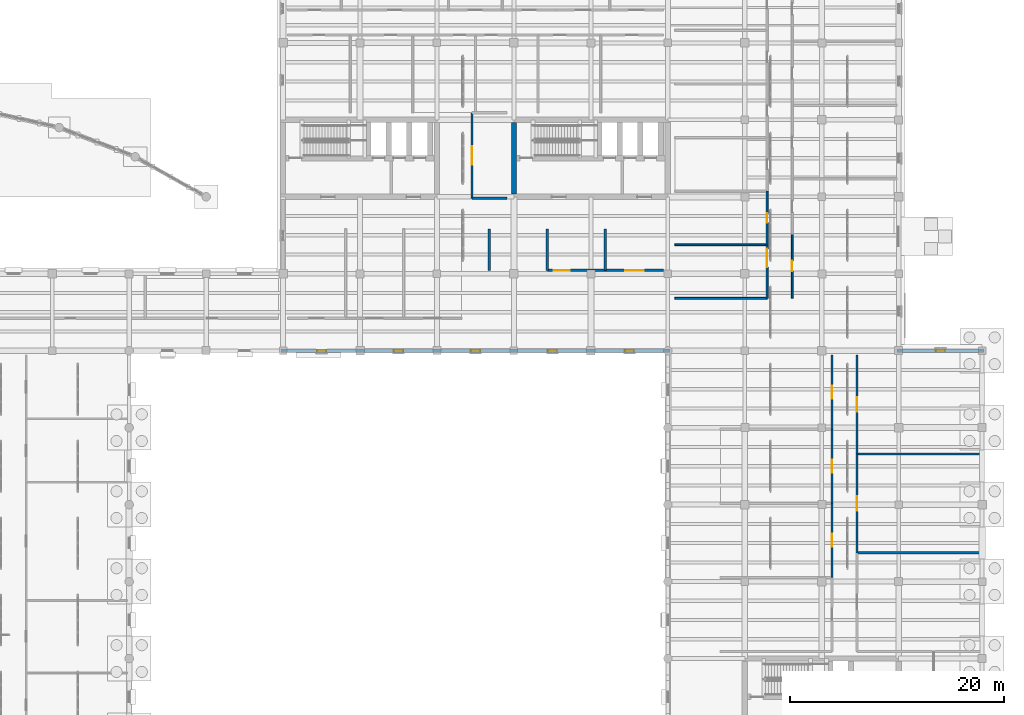
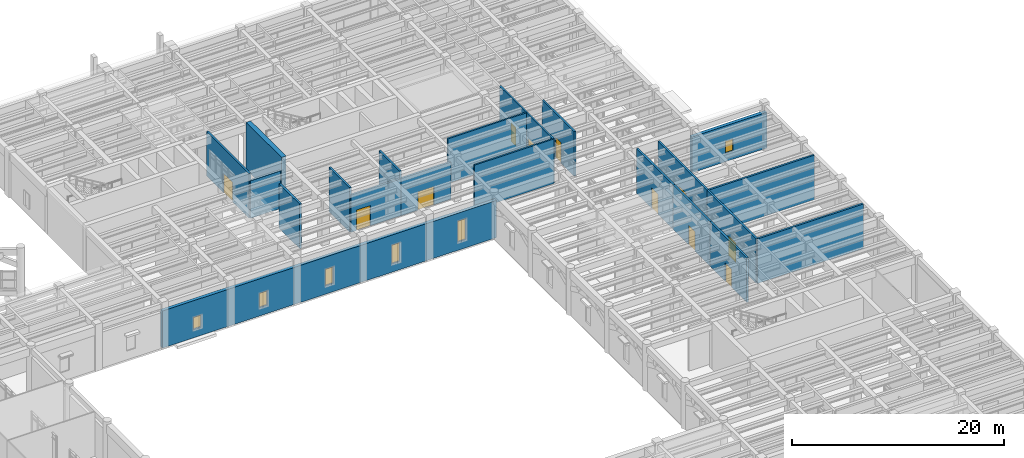
# One storey, part 84 of 100: 22 walls, 11 doors, 6 windows, 17 openings.
"""IFC4 building model written with IfcOpenShell, lengths in metres."""

from ifc_helpers import new_model, si_unit, direction, frame, frame_2d, origin, place, context, subcontext, project, spatial, rectangle, extrude, material, layer, layer_set, type_object, element, fill, save


model = new_model("IFC4")

# Units and contexts
model_context = context("Model", 3, precision=1e-05, world=origin(), true_north=direction((0.0, 1.0)))
body_context = subcontext(model_context, "Body", "Model", "MODEL_VIEW")
ifc_project = project(units=[si_unit("LENGTHUNIT", "METRE"), si_unit("AREAUNIT", "SQUARE_METRE"), si_unit("VOLUMEUNIT", "CUBIC_METRE"), si_unit("PLANEANGLEUNIT", "RADIAN"), si_unit("MASSUNIT", "GRAM", prefix="KILO")], contexts=[model_context])

# Site, building, storey
site_placement = place(None, origin())
site = spatial("IfcSite", under=ifc_project, at=site_placement, CompositionType="ELEMENT")
building_placement = place(site_placement, origin())
building = spatial("IfcBuilding", under=site, at=building_placement, Name="Mithqara Police Headquarters", CompositionType="ELEMENT")
storey_placement = place(building_placement, origin())
storey = spatial("IfcBuildingStorey", under=building, at=storey_placement, Name="L00", CompositionType="ELEMENT", Elevation=0.0)

# Wall, opening, window
ifc_material_1 = material(Name="Limestone ashlar masonry, 45 MPa", Category="masonry")
ifc_layer_1 = layer(ifc_material_1, 0.360107421875, Name="Limestone ashlar masonry, 45 MPa")
ifc_layer_set_1 = layer_set([ifc_layer_1], Name="Limestone ashlar masonry, 45 MPa")
wall_type_1 = type_object("IfcWallType", Name="EXT WALL LIMESTONE360", PredefinedType="SOLIDWALL", material=ifc_layer_set_1)
wall_1_placement = place(storey_placement, frame((174.179931640625, 78.60009765625, 0.0), z_axis=(0.0, 0.0, 1.0), x_axis=(-1.0, 0.0, 0.0)))
wall_1 = element("IfcWall", 1, at=wall_1_placement, inside=storey, type_object=wall_type_1, Name="L00 Exterior Wall 6.1", PredefinedType="SOLIDWALL", context=body_context, shape_type="SweptSolid", body=[
    extrude(rectangle(XDim=8.159912109375, YDim=0.360107421875, at=frame_2d((4.080078125, 0.0))), origin(), (0.0, 0.0, 1.0), 4.1201171875),
])
opening_1_placement = place(wall_1_placement, frame((3.655029296875, 0.0, 0.949951171875)))
opening_1 = element("IfcOpeningElement", 2, at=opening_1_placement, cuts=wall_1, Name="Opening W-01", PredefinedType="OPENING", context=body_context, shape_type="SweptSolid", body=[
    extrude(rectangle(XDim=0.85009765625, YDim=1.39990234375, at=frame_2d((0.425048828125, 0.699951171875))), frame((0.0, 0.18994140625, 0.0), z_axis=(0.0, -1.0, 0.0), x_axis=(1.0, 0.0, 0.0)), (0.0, 0.0, 1.0), 0.380126953125),
])
ifc_material_2 = material(Name="Spectrally selective double low-e glass", Category="glass")
window_type_1 = type_object("IfcWindowType", Name="WINDOW 850X1400", PartitioningType="SINGLE_PANEL", PredefinedType="WINDOW", material=ifc_material_2)
window_1_placement = place(opening_1_placement, origin())
window_1 = element("IfcWindow", 3, at=window_1_placement, inside=storey, type_object=window_type_1, Name="L00 Command Block Screened Window 6.1", OverallHeight=1.39990234375, OverallWidth=0.85009765625, PartitioningType="SINGLE_PANEL", PredefinedType="WINDOW", context=body_context, shape_type="SweptSolid", body=[
    extrude(rectangle(XDim=0.85009765625, YDim=1.39990234375, at=frame_2d((0.425048828125, 0.699951171875))), frame((0.0, 0.030029296875, 0.0), z_axis=(0.0, -1.0, 0.0), x_axis=(1.0, 0.0, 0.0)), (0.0, 0.0, 1.0), 0.06005859375),
])
fill(opening_1, window_1)

# Wall, openings, windows
wall_2_placement = place(storey_placement, frame((108.419921875, 78.60009765625, 0.0), z_axis=(0.0, 0.0, 1.0), x_axis=(1.0, 0.0, 0.0)))
wall_2 = element("IfcWall", 4, at=wall_2_placement, inside=storey, type_object=wall_type_1, Name="L00 Exterior Wall 3.1", PredefinedType="SOLIDWALL", context=body_context, shape_type="SweptSolid", body=[
    extrude(rectangle(XDim=36.360107421875, YDim=0.360107421875, at=frame_2d((18.18017578125, 0.0))), origin(), (0.0, 0.0, 1.0), 4.27001953125),
])
opening_2_placement = place(wall_2_placement, frame((3.35498046875, 0.0, 0.949951171875)))
opening_2 = element("IfcOpeningElement", 5, at=opening_2_placement, cuts=wall_2, Name="Opening W-01", PredefinedType="OPENING", context=body_context, shape_type="SweptSolid", body=[
    extrude(rectangle(XDim=0.85009765625, YDim=1.39990234375, at=frame_2d((0.425048828125, 0.699951171875))), frame((0.0, 0.18994140625, 0.0), z_axis=(0.0, -1.0, 0.0), x_axis=(1.0, 0.0, 0.0)), (0.0, 0.0, 1.0), 0.380126953125),
])
opening_3_placement = place(wall_2_placement, frame((10.554931640625, 0.0, 0.949951171875)))
opening_3 = element("IfcOpeningElement", 6, at=opening_3_placement, cuts=wall_2, Name="Opening W-02", PredefinedType="OPENING", context=body_context, shape_type="SweptSolid", body=[
    extrude(rectangle(XDim=0.85009765625, YDim=1.64990234375, at=frame_2d((0.425048828125, 0.824951171875))), frame((0.0, 0.18994140625, 0.0), z_axis=(0.0, -1.0, 0.0), x_axis=(1.0, 0.0, 0.0)), (0.0, 0.0, 1.0), 0.380126953125),
])
opening_4_placement = place(wall_2_placement, frame((17.7548828125, 0.0, 0.949951171875)))
opening_4 = element("IfcOpeningElement", 7, at=opening_4_placement, cuts=wall_2, Name="Opening W-03", PredefinedType="OPENING", context=body_context, shape_type="SweptSolid", body=[
    extrude(rectangle(XDim=0.85009765625, YDim=1.89990234375, at=frame_2d((0.425048828125, 0.949951171875))), frame((0.0, 0.18994140625, 0.0), z_axis=(0.0, -1.0, 0.0), x_axis=(1.0, 0.0, 0.0)), (0.0, 0.0, 1.0), 0.380126953125),
])
opening_5_placement = place(wall_2_placement, frame((24.955078125, 0.0, 0.949951171875)))
opening_5 = element("IfcOpeningElement", 8, at=opening_5_placement, cuts=wall_2, Name="Opening W-04", PredefinedType="OPENING", context=body_context, shape_type="SweptSolid", body=[
    extrude(rectangle(XDim=0.85009765625, YDim=2.14990234375, at=frame_2d((0.425048828125, 1.074951171875))), frame((0.0, 0.18994140625, 0.0), z_axis=(0.0, -1.0, 0.0), x_axis=(1.0, 0.0, 0.0)), (0.0, 0.0, 1.0), 0.380126953125),
])
opening_6_placement = place(wall_2_placement, frame((32.155029296875, 0.0, 0.949951171875)))
opening_6 = element("IfcOpeningElement", 9, at=opening_6_placement, cuts=wall_2, Name="Opening W-05", PredefinedType="OPENING", context=body_context, shape_type="SweptSolid", body=[
    extrude(rectangle(XDim=0.85009765625, YDim=2.39990234375, at=frame_2d((0.425048828125, 1.199951171875))), frame((0.0, 0.18994140625, 0.0), z_axis=(0.0, -1.0, 0.0), x_axis=(1.0, 0.0, 0.0)), (0.0, 0.0, 1.0), 0.380126953125),
])
window_2_placement = place(opening_2_placement, origin())
window_2 = element("IfcWindow", 10, at=window_2_placement, inside=storey, type_object=window_type_1, Name="L00 Command Block Screened Window 3.1", OverallHeight=1.39990234375, OverallWidth=0.85009765625, PartitioningType="SINGLE_PANEL", PredefinedType="WINDOW", context=body_context, shape_type="SweptSolid", body=[
    extrude(rectangle(XDim=0.85009765625, YDim=1.39990234375, at=frame_2d((0.425048828125, 0.699951171875))), frame((0.0, 0.030029296875, 0.0), z_axis=(0.0, -1.0, 0.0), x_axis=(1.0, 0.0, 0.0)), (0.0, 0.0, 1.0), 0.06005859375),
])
fill(opening_2, window_2)
window_type_2 = type_object("IfcWindowType", Name="WINDOW 850X1650", PartitioningType="SINGLE_PANEL", PredefinedType="WINDOW", material=ifc_material_2)
window_3_placement = place(opening_3_placement, origin())
window_3 = element("IfcWindow", 11, at=window_3_placement, inside=storey, type_object=window_type_2, Name="L00 Command Block Screened Window 3.2", OverallHeight=1.64990234375, OverallWidth=0.85009765625, PartitioningType="SINGLE_PANEL", PredefinedType="WINDOW", context=body_context, shape_type="SweptSolid", body=[
    extrude(rectangle(XDim=0.85009765625, YDim=1.64990234375, at=frame_2d((0.425048828125, 0.824951171875))), frame((0.0, 0.030029296875, 0.0), z_axis=(0.0, -1.0, 0.0), x_axis=(1.0, 0.0, 0.0)), (0.0, 0.0, 1.0), 0.06005859375),
])
fill(opening_3, window_3)
window_type_3 = type_object("IfcWindowType", Name="WINDOW 850X1900", PartitioningType="SINGLE_PANEL", PredefinedType="WINDOW", material=ifc_material_2)
window_4_placement = place(opening_4_placement, origin())
window_4 = element("IfcWindow", 12, at=window_4_placement, inside=storey, type_object=window_type_3, Name="L00 Command Block Screened Window 3.3", OverallHeight=1.89990234375, OverallWidth=0.85009765625, PartitioningType="SINGLE_PANEL", PredefinedType="WINDOW", context=body_context, shape_type="SweptSolid", body=[
    extrude(rectangle(XDim=0.85009765625, YDim=1.89990234375, at=frame_2d((0.425048828125, 0.949951171875))), frame((0.0, 0.030029296875, 0.0), z_axis=(0.0, -1.0, 0.0), x_axis=(1.0, 0.0, 0.0)), (0.0, 0.0, 1.0), 0.06005859375),
])
fill(opening_4, window_4)
window_type_4 = type_object("IfcWindowType", Name="WINDOW 850X2150", PartitioningType="SINGLE_PANEL", PredefinedType="WINDOW", material=ifc_material_2)
window_5_placement = place(opening_5_placement, origin())
window_5 = element("IfcWindow", 13, at=window_5_placement, inside=storey, type_object=window_type_4, Name="L00 Command Block Screened Window 3.4", OverallHeight=2.14990234375, OverallWidth=0.85009765625, PartitioningType="SINGLE_PANEL", PredefinedType="WINDOW", context=body_context, shape_type="SweptSolid", body=[
    extrude(rectangle(XDim=0.85009765625, YDim=2.14990234375, at=frame_2d((0.425048828125, 1.074951171875))), frame((0.0, 0.030029296875, 0.0), z_axis=(0.0, -1.0, 0.0), x_axis=(1.0, 0.0, 0.0)), (0.0, 0.0, 1.0), 0.06005859375),
])
fill(opening_5, window_5)
window_type_5 = type_object("IfcWindowType", Name="WINDOW 850X2400", PartitioningType="SINGLE_PANEL", PredefinedType="WINDOW", material=ifc_material_2)
window_6_placement = place(opening_6_placement, origin())
window_6 = element("IfcWindow", 14, at=window_6_placement, inside=storey, type_object=window_type_5, Name="L00 Command Block Screened Window 3.5", OverallHeight=2.39990234375, OverallWidth=0.85009765625, PartitioningType="SINGLE_PANEL", PredefinedType="WINDOW", context=body_context, shape_type="SweptSolid", body=[
    extrude(rectangle(XDim=0.85009765625, YDim=2.39990234375, at=frame_2d((0.425048828125, 1.199951171875))), frame((0.0, 0.030029296875, 0.0), z_axis=(0.0, -1.0, 0.0), x_axis=(1.0, 0.0, 0.0)), (0.0, 0.0, 1.0), 0.06005859375),
])
fill(opening_6, window_6)

# Wall
ifc_material_3 = material(Name="Concrete C40/50", Category="concrete")
ifc_layer_2 = layer(ifc_material_3, 0.179931640625, Name="Concrete C40/50")
ifc_layer_set_2 = layer_set([ifc_layer_2], Name="Concrete C40/50")
wall_type_2 = type_object("IfcWallType", Name="PART WALL 180", PredefinedType="PARTITIONING", material=ifc_layer_set_2)
wall_3_placement = place(storey_placement, frame((145.25, 83.5, 0.0), z_axis=(0.0, 0.0, 1.0), x_axis=(1.0, 0.0, 0.0)))
element("IfcWall", 15, at=wall_3_placement, inside=storey, type_object=wall_type_2, Name="L00 Partition End Closure E0", PredefinedType="PARTITIONING", context=body_context, shape_type="SweptSolid", body=[
    extrude(rectangle(XDim=8.64501953125, YDim=0.179931640625, at=frame_2d((4.322509765625, 0.0))), origin(), (0.0, 0.0, 1.0), 5.1201171875),
])

# Wall, opening, door
wall_4_placement = place(storey_placement, frame((153.89501953125, 83.5, 0.0), z_axis=(0.0, 0.0, 1.0), x_axis=(0.0, 1.0, 0.0)))
wall_4 = element("IfcWall", 16, at=wall_4_placement, inside=storey, type_object=wall_type_2, Name="L00 Corridor Wall Watch Commander Suite", PredefinedType="PARTITIONING", context=body_context, shape_type="SweptSolid", body=[
    extrude(rectangle(XDim=5.012939453125, YDim=0.179931640625, at=frame_2d((2.50634765625, 0.0))), origin(), (0.0, 0.0, 1.0), 5.1201171875),
])
opening_7_placement = place(wall_4_placement, frame((2.89990234375, 0.0, 0.0)))
opening_7 = element("IfcOpeningElement", 17, at=opening_7_placement, cuts=wall_4, Name="Opening D-24", PredefinedType="OPENING", context=body_context, shape_type="SweptSolid", body=[
    extrude(rectangle(XDim=1.719970703125, YDim=2.35009765625, at=frame_2d((0.85986328125, 1.175048828125))), frame((0.0, 0.10009765625, 0.0), z_axis=(0.0, -1.0, 0.0), x_axis=(1.0, 0.0, 0.0)), (0.0, 0.0, 1.0), 0.199951171875),
])
ifc_material_4 = material(Name="Bronze anodised aluminium 6063-T6", Category="aluminium")
door_type_1 = type_object("IfcDoorType", Name="INT DOOR 1720X2350", OperationType="NOTDEFINED", PredefinedType="DOOR", material=ifc_material_4)
door_1_placement = place(opening_7_placement, frame((1.719970703125, 0.0, 0.0), z_axis=(0.0, 0.0, 1.0), x_axis=(-1.0, 0.0, 0.0)))
door_1 = element("IfcDoor", 18, at=door_1_placement, inside=storey, type_object=door_type_1, Name="Watch Commander Suite Entry Door", OperationType="DOUBLE_DOOR_SINGLE_SWING", OverallHeight=2.35009765625, OverallWidth=1.719970703125, PredefinedType="DOOR", context=body_context, shape_type="SweptSolid", body=[
    extrude(rectangle(XDim=1.719970703125, YDim=2.35009765625, at=frame_2d((0.85986328125, 1.175048828125))), frame((0.0, 0.02490234375, 0.0), z_axis=(0.0, -1.0, 0.0), x_axis=(1.0, 0.0, 0.0)), (0.0, 0.0, 1.0), 0.050048828125),
])
fill(opening_7, door_1)

# Wall
wall_5_placement = place(storey_placement, frame((145.25, 88.512939453125, 0.0), z_axis=(0.0, 0.0, 1.0), x_axis=(1.0, 0.0, 0.0)))
element("IfcWall", 19, at=wall_5_placement, inside=storey, type_object=wall_type_2, Name="L00 Room Partition Watch Commander Suite", PredefinedType="PARTITIONING", context=body_context, shape_type="SweptSolid", body=[
    extrude(rectangle(XDim=8.64501953125, YDim=0.179931640625, at=frame_2d((4.322509765625, 0.0))), origin(), (0.0, 0.0, 1.0), 5.1201171875),
])

# Wall, opening, door
wall_6_placement = place(storey_placement, frame((153.89501953125, 88.512939453125, 0.0), z_axis=(0.0, 0.0, 1.0), x_axis=(0.0, 1.0, 0.0)))
wall_6 = element("IfcWall", 20, at=wall_6_placement, inside=storey, type_object=wall_type_2, Name="L00 Corridor Wall Incident Triage Desk", PredefinedType="PARTITIONING", context=body_context, shape_type="SweptSolid", body=[
    extrude(rectangle(XDim=5.01416015625, YDim=0.179931640625, at=frame_2d((2.507080078125, 0.0))), origin(), (0.0, 0.0, 1.0), 5.1201171875),
])
opening_8_placement = place(wall_6_placement, frame((2.047119140625, 0.0, 0.0)))
opening_8 = element("IfcOpeningElement", 21, at=opening_8_placement, cuts=wall_6, Name="Opening D-01", PredefinedType="OPENING", context=body_context, shape_type="SweptSolid", body=[
    extrude(rectangle(XDim=0.919921875, YDim=2.10009765625, at=frame_2d((0.4599609375, 1.050048828125))), frame((0.0, 0.10009765625, 0.0), z_axis=(0.0, -1.0, 0.0), x_axis=(1.0, 0.0, 0.0)), (0.0, 0.0, 1.0), 0.199951171875),
])
ifc_material_5 = material(Name="Acoustic solid-core timber leaf", Category="wood")
door_type_2 = type_object("IfcDoorType", Name="INT DOOR 920X2100", OperationType="NOTDEFINED", PredefinedType="DOOR", material=ifc_material_5)
door_2_placement = place(opening_8_placement, frame((0.919921875, 0.0, 0.0), z_axis=(0.0, 0.0, 1.0), x_axis=(-1.0, 0.0, 0.0)))
door_2 = element("IfcDoor", 22, at=door_2_placement, inside=storey, type_object=door_type_2, Name="Incident Triage Desk Entry Door", OperationType="SINGLE_SWING_RIGHT", OverallHeight=2.10009765625, OverallWidth=0.919921875, PredefinedType="DOOR", context=body_context, shape_type="SweptSolid", body=[
    extrude(rectangle(XDim=0.919921875, YDim=2.10009765625, at=frame_2d((0.4599609375, 1.050048828125))), frame((0.0, 0.02490234375, 0.0), z_axis=(0.0, -1.0, 0.0), x_axis=(1.0, 0.0, 0.0)), (0.0, 0.0, 1.0), 0.050048828125),
])
fill(opening_8, door_2)

wall_7_placement = place(storey_placement, frame((156.235107421875, 83.5, 0.0), z_axis=(0.0, 0.0, 1.0), x_axis=(0.0, 1.0, 0.0)))
wall_7 = element("IfcWall", 23, at=wall_7_placement, inside=storey, type_object=wall_type_2, Name="L00 Corridor Wall Incident Triage Desk", PredefinedType="PARTITIONING", context=body_context, shape_type="SweptSolid", body=[
    extrude(rectangle(XDim=6.01611328125, YDim=0.179931640625, at=frame_2d((3.008056640625, 0.0))), origin(), (0.0, 0.0, 1.0), 5.1201171875),
])
opening_9_placement = place(wall_7_placement, frame((2.51806640625, 0.0, 0.0)))
opening_9 = element("IfcOpeningElement", 24, at=opening_9_placement, cuts=wall_7, Name="Opening D-06", PredefinedType="OPENING", context=body_context, shape_type="SweptSolid", body=[
    extrude(rectangle(XDim=0.97998046875, YDim=2.35009765625, at=frame_2d((0.489990234375, 1.175048828125))), frame((0.0, 0.10009765625, 0.0), z_axis=(0.0, -1.0, 0.0), x_axis=(1.0, 0.0, 0.0)), (0.0, 0.0, 1.0), 0.199951171875),
])
door_type_3 = type_object("IfcDoorType", Name="INT DOOR 980X2350", OperationType="NOTDEFINED", PredefinedType="DOOR", material=ifc_material_5)
door_3_placement = place(opening_9_placement, origin())
door_3 = element("IfcDoor", 25, at=door_3_placement, inside=storey, type_object=door_type_3, Name="Incident Triage Desk Entry Door", OperationType="SINGLE_SWING_LEFT", OverallHeight=2.35009765625, OverallWidth=0.97998046875, PredefinedType="DOOR", context=body_context, shape_type="SweptSolid", body=[
    extrude(rectangle(XDim=0.97998046875, YDim=2.35009765625, at=frame_2d((0.489990234375, 1.175048828125))), frame((0.0, 0.02490234375, 0.0), z_axis=(0.0, -1.0, 0.0), x_axis=(1.0, 0.0, 0.0)), (0.0, 0.0, 1.0), 0.050048828125),
])
fill(opening_9, door_3)

# Walls
ifc_layer_3 = layer(ifc_material_3, 0.2099609375, Name="Concrete C40/50")
ifc_layer_set_3 = layer_set([ifc_layer_3], Name="Concrete C40/50")
wall_type_3 = type_object("IfcWallType", Name="PART WALL 210", PredefinedType="PARTITIONING", material=ifc_layer_set_3)
for number, where, z_axis, x_axis, name in (
    (26, (127.89990234375, 86.1201171875, 0.0), (0.0, 0.0, 1.0), (0.0, 1.0, 0.0), "L00 Partition End Closure E0"),
    (27, (133.326904296875, 86.1201171875, 0.0), (0.0, 0.0, 1.0), (0.0, 1.0, 0.0), "L00 Room Partition Fire Command Room"),
):
    element("IfcWall", number, at=place(storey_placement, frame(where, z_axis=z_axis, x_axis=x_axis)), inside=storey, type_object=wall_type_3, Name=name, PredefinedType="PARTITIONING", context=body_context, shape_type="SweptSolid", body=[
        extrude(rectangle(XDim=3.8798828125, YDim=0.2099609375, at=frame_2d((1.93994140625, 0.0))), origin(), (0.0, 0.0, 1.0), 5.1201171875),
    ])

# Wall, opening, door
wall_8_placement = place(storey_placement, frame((133.326904296875, 86.1201171875, 0.0), z_axis=(0.0, 0.0, 1.0), x_axis=(1.0, 0.0, 0.0)))
wall_8 = element("IfcWall", 28, at=wall_8_placement, inside=storey, type_object=wall_type_3, Name="L00 Corridor Wall Station Duty Officer Room", PredefinedType="PARTITIONING", context=body_context, shape_type="SweptSolid", body=[
    extrude(rectangle(XDim=5.426025390625, YDim=0.2099609375, at=frame_2d((2.712890625, 0.0))), origin(), (0.0, 0.0, 1.0), 4.27001953125),
])
opening_10_placement = place(wall_8_placement, frame((0.596435546875, 0.0, 0.0)))
opening_10 = element("IfcOpeningElement", 29, at=opening_10_placement, cuts=wall_8, Name="Opening D-21", PredefinedType="OPENING", context=body_context, shape_type="SweptSolid", body=[
    extrude(rectangle(XDim=1.52001953125, YDim=2.35009765625, at=frame_2d((0.760009765625, 1.175048828125))), frame((0.0, 0.114990234375, 0.0), z_axis=(0.0, -1.0, 0.0), x_axis=(1.0, 0.0, 0.0)), (0.0, 0.0, 1.0), 0.22998046875),
])
door_type_4 = type_object("IfcDoorType", Name="INT DOOR 1520X2350", OperationType="NOTDEFINED", PredefinedType="DOOR", material=ifc_material_4)
door_4_placement = place(opening_10_placement, origin())
door_4 = element("IfcDoor", 30, at=door_4_placement, inside=storey, type_object=door_type_4, Name="Station Duty Officer Room Entry Door", OperationType="DOUBLE_DOOR_SINGLE_SWING", OverallHeight=2.35009765625, OverallWidth=1.52001953125, PredefinedType="DOOR", context=body_context, shape_type="SweptSolid", body=[
    extrude(rectangle(XDim=1.52001953125, YDim=2.35009765625, at=frame_2d((0.760009765625, 1.175048828125))), frame((0.0, 0.02490234375, 0.0), z_axis=(0.0, -1.0, 0.0), x_axis=(1.0, 0.0, 0.0)), (0.0, 0.0, 1.0), 0.050048828125),
])
fill(opening_10, door_4)

# Wall
wall_9_placement = place(storey_placement, frame((138.7529296875, 86.1201171875, 0.0), z_axis=(0.0, 0.0, 1.0), x_axis=(0.0, 1.0, 0.0)))
element("IfcWall", 31, at=wall_9_placement, inside=storey, type_object=wall_type_3, Name="L00 Room Partition Station Duty Officer Room", PredefinedType="PARTITIONING", context=body_context, shape_type="SweptSolid", body=[
    extrude(rectangle(XDim=3.8798828125, YDim=0.2099609375, at=frame_2d((1.93994140625, 0.0))), origin(), (0.0, 0.0, 1.0), 5.1201171875),
])

# Wall, opening, door
wall_10_placement = place(storey_placement, frame((138.7529296875, 86.1201171875, 0.0), z_axis=(0.0, 0.0, 1.0), x_axis=(1.0, 0.0, 0.0)))
wall_10 = element("IfcWall", 32, at=wall_10_placement, inside=storey, type_object=wall_type_3, Name="L00 Corridor Wall Security Access Badging Office", PredefinedType="PARTITIONING", context=body_context, shape_type="SweptSolid", body=[
    extrude(rectangle(XDim=5.427001953125, YDim=0.2099609375, at=frame_2d((2.71337890625, 0.0))), origin(), (0.0, 0.0, 1.0), 4.27001953125),
])
opening_11_placement = place(wall_10_placement, frame((1.853515625, 0.0, 0.0)))
opening_11 = element("IfcOpeningElement", 33, at=opening_11_placement, cuts=wall_10, Name="Opening D-22", PredefinedType="OPENING", context=body_context, shape_type="SweptSolid", body=[
    extrude(rectangle(XDim=1.719970703125, YDim=2.10009765625, at=frame_2d((0.85986328125, 1.050048828125))), frame((0.0, 0.114990234375, 0.0), z_axis=(0.0, -1.0, 0.0), x_axis=(1.0, 0.0, 0.0)), (0.0, 0.0, 1.0), 0.22998046875),
])
door_type_5 = type_object("IfcDoorType", Name="INT DOOR 1720X2100", OperationType="NOTDEFINED", PredefinedType="DOOR", material=ifc_material_4)
door_5_placement = place(opening_11_placement, origin())
door_5 = element("IfcDoor", 34, at=door_5_placement, inside=storey, type_object=door_type_5, Name="Security Access Badging Office Entry Door", OperationType="DOUBLE_DOOR_SINGLE_SWING", OverallHeight=2.10009765625, OverallWidth=1.719970703125, PredefinedType="DOOR", context=body_context, shape_type="SweptSolid", body=[
    extrude(rectangle(XDim=1.719970703125, YDim=2.10009765625, at=frame_2d((0.85986328125, 1.050048828125))), frame((0.0, 0.02490234375, 0.0), z_axis=(0.0, -1.0, 0.0), x_axis=(1.0, 0.0, 0.0)), (0.0, 0.0, 1.0), 0.050048828125),
])
fill(opening_11, door_5)

wall_11_placement = place(storey_placement, frame((126.27001953125, 92.85009765625, 0.0), z_axis=(0.0, 0.0, 1.0), x_axis=(0.0, 1.0, 0.0)))
wall_11 = element("IfcWall", 35, at=wall_11_placement, inside=storey, type_object=wall_type_3, Name="L00 Corridor Wall Fire Command Room", PredefinedType="PARTITIONING", context=body_context, shape_type="SweptSolid", body=[
    extrude(rectangle(XDim=8.0, YDim=0.2099609375, at=frame_2d((4.0, 0.0))), origin(), (0.0, 0.0, 1.0), 5.1201171875),
])
opening_12_placement = place(wall_11_placement, frame((3.139892578125, 0.0, 0.0)))
opening_12 = element("IfcOpeningElement", 36, at=opening_12_placement, cuts=wall_11, Name="Opening D-23", PredefinedType="OPENING", context=body_context, shape_type="SweptSolid", body=[
    extrude(rectangle(XDim=1.719970703125, YDim=2.219970703125, at=frame_2d((0.85986328125, 1.10986328125))), frame((0.0, 0.114990234375, 0.0), z_axis=(0.0, -1.0, 0.0), x_axis=(1.0, 0.0, 0.0)), (0.0, 0.0, 1.0), 0.22998046875),
])
door_type_6 = type_object("IfcDoorType", Name="INT DOOR 1720X2220", OperationType="NOTDEFINED", PredefinedType="DOOR", material=ifc_material_4)
door_6_placement = place(opening_12_placement, origin())
door_6 = element("IfcDoor", 37, at=door_6_placement, inside=storey, type_object=door_type_6, Name="Fire Command Room Entry Door", OperationType="DOUBLE_DOOR_SINGLE_SWING", OverallHeight=2.219970703125, OverallWidth=1.719970703125, PredefinedType="DOOR", context=body_context, shape_type="SweptSolid", body=[
    extrude(rectangle(XDim=1.719970703125, YDim=2.219970703125, at=frame_2d((0.85986328125, 1.10986328125))), frame((0.0, 0.02490234375, 0.0), z_axis=(0.0, -1.0, 0.0), x_axis=(1.0, 0.0, 0.0)), (0.0, 0.0, 1.0), 0.050048828125),
])
fill(opening_12, door_6)

wall_12_placement = place(storey_placement, frame((159.949951171875, 57.383056640625, 0.0), z_axis=(0.0, 0.0, 1.0), x_axis=(0.0, 1.0, 0.0)))
wall_12 = element("IfcWall", 38, at=wall_12_placement, inside=storey, type_object=wall_type_3, Name="L00 Corridor Wall Chain of Custody Vault", PredefinedType="PARTITIONING", context=body_context, shape_type="SweptSolid", body=[
    extrude(rectangle(XDim=6.931884765625, YDim=0.2099609375, at=frame_2d((3.4658203125, 0.0))), origin(), (0.0, 0.0, 1.0), 5.1201171875),
])
opening_13_placement = place(wall_12_placement, frame((2.85595703125, 0.0, 0.0)))
opening_13 = element("IfcOpeningElement", 39, at=opening_13_placement, cuts=wall_12, Name="Opening D-13", PredefinedType="OPENING", context=body_context, shape_type="SweptSolid", body=[
    extrude(rectangle(XDim=1.219970703125, YDim=2.10009765625, at=frame_2d((0.60986328125, 1.050048828125))), frame((0.0, 0.114990234375, 0.0), z_axis=(0.0, -1.0, 0.0), x_axis=(1.0, 0.0, 0.0)), (0.0, 0.0, 1.0), 0.22998046875),
])
door_type_7 = type_object("IfcDoorType", Name="INT DOOR 1220X2100", OperationType="NOTDEFINED", PredefinedType="DOOR", material=ifc_material_5)
door_7_placement = place(opening_13_placement, frame((1.219970703125, 0.0, 0.0), z_axis=(0.0, 0.0, 1.0), x_axis=(-1.0, 0.0, 0.0)))
door_7 = element("IfcDoor", 40, at=door_7_placement, inside=storey, type_object=door_type_7, Name="Chain of Custody Vault Entry Door", OperationType="SINGLE_SWING_RIGHT", OverallHeight=2.10009765625, OverallWidth=1.219970703125, PredefinedType="DOOR", context=body_context, shape_type="SweptSolid", body=[
    extrude(rectangle(XDim=1.219970703125, YDim=2.10009765625, at=frame_2d((0.60986328125, 1.050048828125))), frame((0.0, 0.02490234375, 0.0), z_axis=(0.0, -1.0, 0.0), x_axis=(1.0, 0.0, 0.0)), (0.0, 0.0, 1.0), 0.050048828125),
])
fill(opening_13, door_7)

wall_13_placement = place(storey_placement, frame((159.949951171875, 64.31494140625, 0.0), z_axis=(0.0, 0.0, 1.0), x_axis=(0.0, 1.0, 0.0)))
wall_13 = element("IfcWall", 41, at=wall_13_placement, inside=storey, type_object=wall_type_3, Name="L00 Corridor Wall Crime Scene Kit Preparation Room", PredefinedType="PARTITIONING", context=body_context, shape_type="SweptSolid", body=[
    extrude(rectangle(XDim=6.93310546875, YDim=0.2099609375, at=frame_2d((3.466552734375, 0.0))), origin(), (0.0, 0.0, 1.0), 5.1201171875),
])
opening_14_placement = place(wall_13_placement, frame((2.8564453125, 0.0, 0.0)))
opening_14 = element("IfcOpeningElement", 42, at=opening_14_placement, cuts=wall_13, Name="Opening D-14", PredefinedType="OPENING", context=body_context, shape_type="SweptSolid", body=[
    extrude(rectangle(XDim=1.219970703125, YDim=2.219970703125, at=frame_2d((0.60986328125, 1.10986328125))), frame((0.0, 0.114990234375, 0.0), z_axis=(0.0, -1.0, 0.0), x_axis=(1.0, 0.0, 0.0)), (0.0, 0.0, 1.0), 0.22998046875),
])
door_type_8 = type_object("IfcDoorType", Name="INT DOOR 1220X2220", OperationType="NOTDEFINED", PredefinedType="DOOR", material=ifc_material_5)
door_8_placement = place(opening_14_placement, frame((1.219970703125, 0.0, 0.0), z_axis=(0.0, 0.0, 1.0), x_axis=(-1.0, 0.0, 0.0)))
door_8 = element("IfcDoor", 43, at=door_8_placement, inside=storey, type_object=door_type_8, Name="Crime Scene Kit Preparation Room Entry Door", OperationType="SINGLE_SWING_LEFT", OverallHeight=2.219970703125, OverallWidth=1.219970703125, PredefinedType="DOOR", context=body_context, shape_type="SweptSolid", body=[
    extrude(rectangle(XDim=1.219970703125, YDim=2.219970703125, at=frame_2d((0.60986328125, 1.10986328125))), frame((0.0, 0.02490234375, 0.0), z_axis=(0.0, -1.0, 0.0), x_axis=(1.0, 0.0, 0.0)), (0.0, 0.0, 1.0), 0.050048828125),
])
fill(opening_14, door_8)

wall_14_placement = place(storey_placement, frame((159.949951171875, 71.248046875, 0.0), z_axis=(0.0, 0.0, 1.0), x_axis=(0.0, 1.0, 0.0)))
wall_14 = element("IfcWall", 44, at=wall_14_placement, inside=storey, type_object=wall_type_3, Name="L00 Corridor Wall Triage Laboratory", PredefinedType="PARTITIONING", context=body_context, shape_type="SweptSolid", body=[
    extrude(rectangle(XDim=6.931884765625, YDim=0.2099609375, at=frame_2d((3.4658203125, 0.0))), origin(), (0.0, 0.0, 1.0), 5.1201171875),
])
opening_15_placement = place(wall_14_placement, frame((2.85595703125, 0.0, 0.0)))
opening_15 = element("IfcOpeningElement", 45, at=opening_15_placement, cuts=wall_14, Name="Opening D-15", PredefinedType="OPENING", context=body_context, shape_type="SweptSolid", body=[
    extrude(rectangle(XDim=1.219970703125, YDim=2.35009765625, at=frame_2d((0.60986328125, 1.175048828125))), frame((0.0, 0.114990234375, 0.0), z_axis=(0.0, -1.0, 0.0), x_axis=(1.0, 0.0, 0.0)), (0.0, 0.0, 1.0), 0.22998046875),
])
door_type_9 = type_object("IfcDoorType", Name="INT DOOR 1220X2350", OperationType="NOTDEFINED", PredefinedType="DOOR", material=ifc_material_5)
door_9_placement = place(opening_15_placement, frame((1.219970703125, 0.0, 0.0), z_axis=(0.0, 0.0, 1.0), x_axis=(-1.0, 0.0, 0.0)))
door_9 = element("IfcDoor", 46, at=door_9_placement, inside=storey, type_object=door_type_9, Name="Triage Laboratory Entry Door", OperationType="SINGLE_SWING_RIGHT", OverallHeight=2.35009765625, OverallWidth=1.219970703125, PredefinedType="DOOR", context=body_context, shape_type="SweptSolid", body=[
    extrude(rectangle(XDim=1.219970703125, YDim=2.35009765625, at=frame_2d((0.60986328125, 1.175048828125))), frame((0.0, 0.02490234375, 0.0), z_axis=(0.0, -1.0, 0.0), x_axis=(1.0, 0.0, 0.0)), (0.0, 0.0, 1.0), 0.050048828125),
])
fill(opening_15, door_9)

# Wall
wall_15_placement = place(storey_placement, frame((162.2900390625, 59.693115234375, 0.0), z_axis=(0.0, 0.0, 1.0), x_axis=(1.0, 0.0, 0.0)))
element("IfcWall", 47, at=wall_15_placement, inside=storey, type_object=wall_type_3, Name="L00 Room Partition Forensic Evidence Intake", PredefinedType="PARTITIONING", context=body_context, shape_type="SweptSolid", body=[
    extrude(rectangle(XDim=11.530029296875, YDim=0.2099609375, at=frame_2d((5.76513671875, 0.0))), origin(), (0.0, 0.0, 1.0), 5.1201171875),
])

# Wall, opening, door
wall_16_placement = place(storey_placement, frame((162.2900390625, 59.693115234375, 0.0), z_axis=(0.0, 0.0, 1.0), x_axis=(0.0, 1.0, 0.0)))
wall_16 = element("IfcWall", 48, at=wall_16_placement, inside=storey, type_object=wall_type_3, Name="L00 Corridor Wall Chain of Custody Vault", PredefinedType="PARTITIONING", context=body_context, shape_type="SweptSolid", body=[
    extrude(rectangle(XDim=9.243896484375, YDim=0.2099609375, at=frame_2d((4.6220703125, 0.0))), origin(), (0.0, 0.0, 1.0), 5.1201171875),
])
opening_16_placement = place(wall_16_placement, frame((3.94189453125, 0.0, 0.0)))
opening_16 = element("IfcOpeningElement", 49, at=opening_16_placement, cuts=wall_16, Name="Opening D-17", PredefinedType="OPENING", context=body_context, shape_type="SweptSolid", body=[
    extrude(rectangle(XDim=1.360107421875, YDim=2.219970703125, at=frame_2d((0.68017578125, 1.10986328125))), frame((0.0, 0.114990234375, 0.0), z_axis=(0.0, -1.0, 0.0), x_axis=(1.0, 0.0, 0.0)), (0.0, 0.0, 1.0), 0.22998046875),
])
door_type_10 = type_object("IfcDoorType", Name="INT DOOR 1360X2220", OperationType="NOTDEFINED", PredefinedType="DOOR", material=ifc_material_4)
door_10_placement = place(opening_16_placement, origin())
door_10 = element("IfcDoor", 50, at=door_10_placement, inside=storey, type_object=door_type_10, Name="Chain of Custody Vault Entry Door", OperationType="SINGLE_SWING_RIGHT", OverallHeight=2.219970703125, OverallWidth=1.360107421875, PredefinedType="DOOR", context=body_context, shape_type="SweptSolid", body=[
    extrude(rectangle(XDim=1.360107421875, YDim=2.219970703125, at=frame_2d((0.68017578125, 1.10986328125))), frame((0.0, 0.02490234375, 0.0), z_axis=(0.0, -1.0, 0.0), x_axis=(1.0, 0.0, 0.0)), (0.0, 0.0, 1.0), 0.050048828125),
])
fill(opening_16, door_10)

# Wall
wall_17_placement = place(storey_placement, frame((162.2900390625, 68.93701171875, 0.0), z_axis=(0.0, 0.0, 1.0), x_axis=(1.0, 0.0, 0.0)))
element("IfcWall", 51, at=wall_17_placement, inside=storey, type_object=wall_type_3, Name="L00 Room Partition Chain of Custody Vault", PredefinedType="PARTITIONING", context=body_context, shape_type="SweptSolid", body=[
    extrude(rectangle(XDim=11.530029296875, YDim=0.2099609375, at=frame_2d((5.76513671875, 0.0))), origin(), (0.0, 0.0, 1.0), 5.1201171875),
])

# Wall, opening, door
wall_18_placement = place(storey_placement, frame((162.2900390625, 68.93701171875, 0.0), z_axis=(0.0, 0.0, 1.0), x_axis=(0.0, 1.0, 0.0)))
wall_18 = element("IfcWall", 52, at=wall_18_placement, inside=storey, type_object=wall_type_3, Name="L00 Corridor Wall Crime Scene Kit Preparation Room", PredefinedType="PARTITIONING", context=body_context, shape_type="SweptSolid", body=[
    extrude(rectangle(XDim=9.242919921875, YDim=0.2099609375, at=frame_2d((4.62158203125, 0.0))), origin(), (0.0, 0.0, 1.0), 5.1201171875),
])
opening_17_placement = place(wall_18_placement, frame((3.94140625, 0.0, 0.0)))
opening_17 = element("IfcOpeningElement", 53, at=opening_17_placement, cuts=wall_18, Name="Opening D-18", PredefinedType="OPENING", context=body_context, shape_type="SweptSolid", body=[
    extrude(rectangle(XDim=1.360107421875, YDim=2.35009765625, at=frame_2d((0.68017578125, 1.175048828125))), frame((0.0, 0.114990234375, 0.0), z_axis=(0.0, -1.0, 0.0), x_axis=(1.0, 0.0, 0.0)), (0.0, 0.0, 1.0), 0.22998046875),
])
door_type_11 = type_object("IfcDoorType", Name="INT DOOR 1360X2350", OperationType="NOTDEFINED", PredefinedType="DOOR", material=ifc_material_4)
door_11_placement = place(opening_17_placement, origin())
door_11 = element("IfcDoor", 54, at=door_11_placement, inside=storey, type_object=door_type_11, Name="Crime Scene Kit Preparation Room Entry Door", OperationType="SINGLE_SWING_LEFT", OverallHeight=2.35009765625, OverallWidth=1.360107421875, PredefinedType="DOOR", context=body_context, shape_type="SweptSolid", body=[
    extrude(rectangle(XDim=1.360107421875, YDim=2.35009765625, at=frame_2d((0.68017578125, 1.175048828125))), frame((0.0, 0.02490234375, 0.0), z_axis=(0.0, -1.0, 0.0), x_axis=(1.0, 0.0, 0.0)), (0.0, 0.0, 1.0), 0.050048828125),
])
fill(opening_17, door_11)

# Walls
ifc_layer_4 = layer(ifc_material_3, 0.22998046875, Name="Concrete C40/50")
ifc_layer_set_4 = layer_set([ifc_layer_4], Name="Concrete C40/50")
wall_type_4 = type_object("IfcWallType", Name="PART WALL 230", PredefinedType="PARTITIONING", material=ifc_layer_set_4)
wall_19_placement = place(storey_placement, frame((126.27001953125, 92.85009765625, 0.0), z_axis=(0.0, 0.0, 1.0), x_axis=(1.0, 0.0, 0.0)))
element("IfcWall", 55, at=wall_19_placement, inside=storey, type_object=wall_type_4, Name="L00 Partition End Closure E0", PredefinedType="PARTITIONING", context=body_context, shape_type="SweptSolid", body=[
    extrude(rectangle(XDim=3.280029296875, YDim=0.22998046875, at=frame_2d((1.64013671875, 0.0))), origin(), (0.0, 0.0, 1.0), 4.320068359375),
])
ifc_material_6 = material(Name="Concrete C50/60", Category="concrete")
ifc_layer_5 = layer(ifc_material_6, 0.5, Name="Concrete C50/60")
ifc_layer_set_5 = layer_set([ifc_layer_5], Name="Concrete C50/60")
wall_type_5 = type_object("IfcWallType", Name="SHEAR WALL 500", PredefinedType="SHEAR", material=ifc_layer_set_5)
wall_20_placement = place(storey_placement, frame((130.199951171875, 93.260009765625, 0.0), z_axis=(0.0, 0.0, 1.0), x_axis=(0.0, 1.0, 0.0)))
element("IfcWall", 56, at=wall_20_placement, inside=storey, type_object=wall_type_5, Name="Core C2 Command East Shear Wall W", PredefinedType="SHEAR", context=body_context, shape_type="SweptSolid", body=[
    extrude(rectangle(XDim=6.679931640625, YDim=0.5, at=frame_2d((3.33984375, 0.0))), origin(), (0.0, 0.0, 1.0), 5.39990234375),
])

save(model, "model.ifc")
